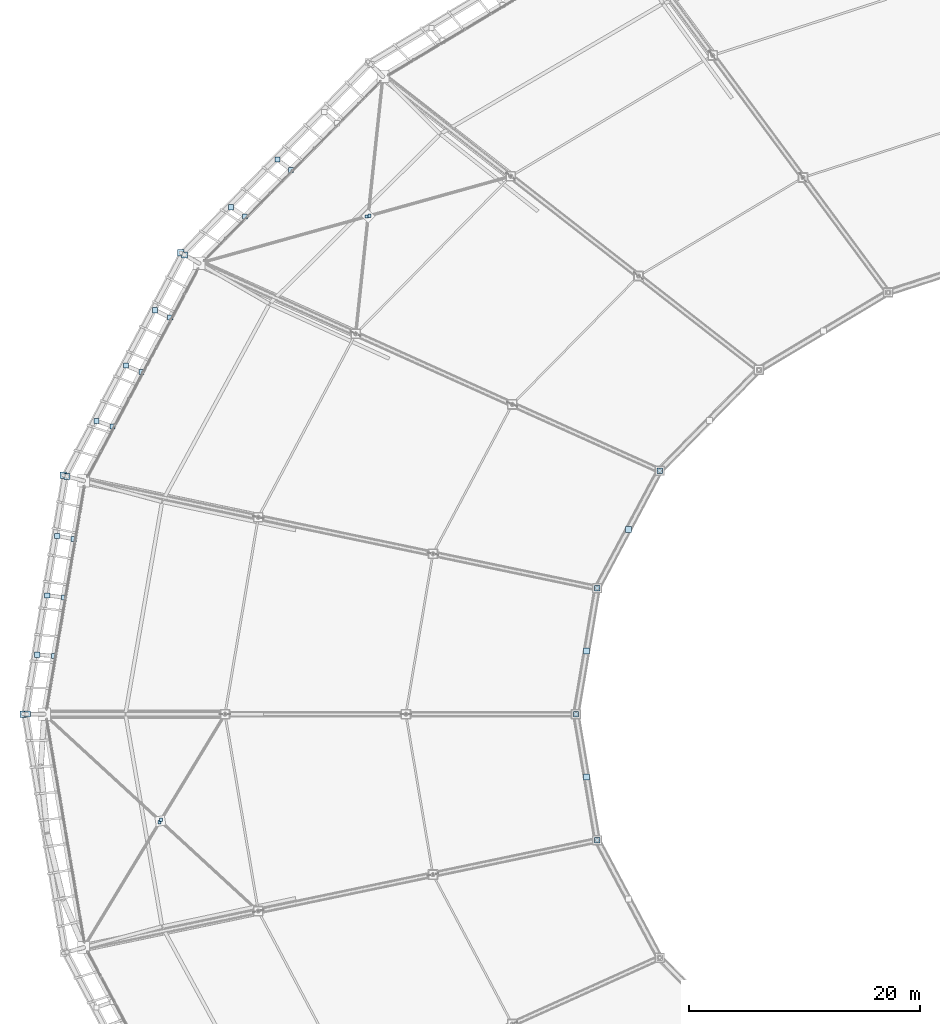
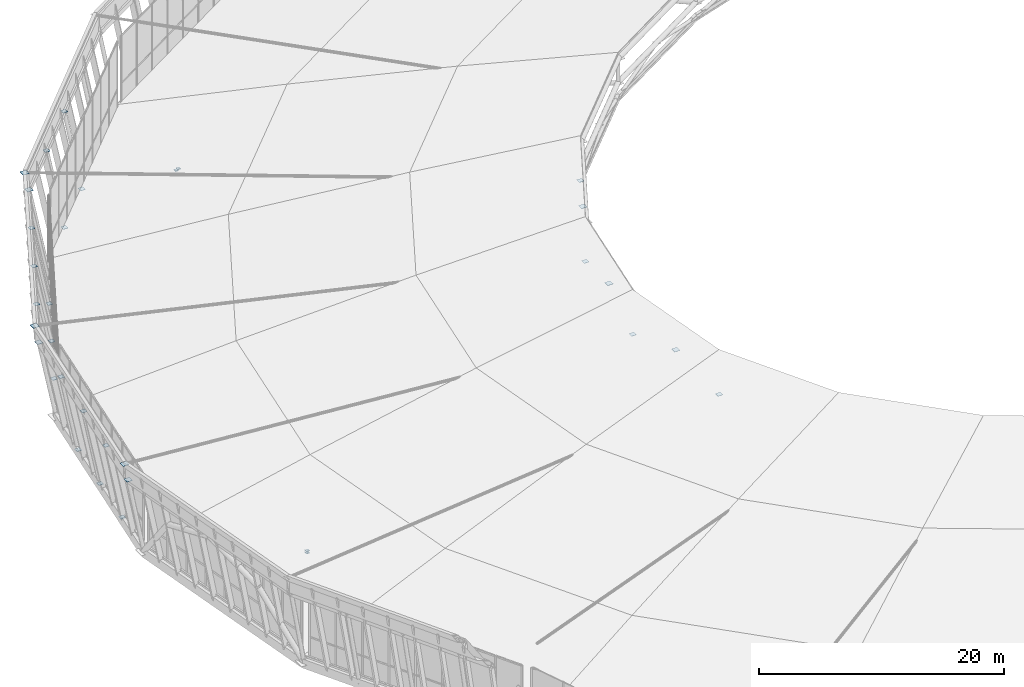
# One storey, part 103 of 115: 33 plates.
"""IFC4 building model written with IfcOpenShell, lengths in metres."""

import ifcopenshell
import ifcopenshell.guid

model = None  # the IFC model being written
_history = None  # IfcOwnerHistory: only IFC2X3 demands one
_inside = {}  # id of a spatial element -> (the spatial element, [elements in it])
_under = {}  # id of a project, library or spatial element -> (it, [spatial elements below it])
_declared = {}  # id of a project -> (the project, [libraries it declares])
_typed = {}  # id of a type object -> (the type object, [elements of that type])
_made_of = {}  # id of a material, layer set ... -> (it, [elements and type objects made of it])


def new_model(schema):
    """Start an empty IFC model of exactly this schema.

    Asked for "IFC4X3", IfcOpenShell would pick the latest addendum, in which some entities
    have other attributes; the version numbers below select the first issue.
    IFC2X3 requires an IfcOwnerHistory on every rooted entity: one is made here for all.
    """
    global model, _history
    if schema == "IFC4X3":
        model = ifcopenshell.file(schema_version=(4, 3, 0, 0))
    else:
        model = ifcopenshell.file(schema=schema)
    _inside.clear()
    _under.clear()
    _declared.clear()
    _typed.clear()
    _made_of.clear()
    _history = None
    if model.schema == "IFC2X3":
        org = make("IfcOrganization", Name="unknown")
        user = make(
            "IfcPersonAndOrganization",
            ThePerson=make("IfcPerson", FamilyName="unknown"),
            TheOrganization=org,
        )
        app = make(
            "IfcApplication",
            ApplicationDeveloper=org,
            Version="unknown",
            ApplicationFullName="unknown",
            ApplicationIdentifier="unknown",
        )
        _history = make(
            "IfcOwnerHistory",
            OwningUser=user,
            OwningApplication=app,
            ChangeAction="ADDED",
            CreationDate=0,
        )
    return model


def make(cls, **values):
    """One entity of the class cls with the attributes given. An attribute that is None is left unset."""
    return model.create_entity(
        cls, **{name: value for name, value in values.items() if value is not None}
    )


def rooted(cls, **values):
    """An entity with a GlobalId (a new one), such as an element, a storey or a relation."""
    return make(cls, GlobalId=ifcopenshell.guid.new(), OwnerHistory=_history, **values)


def si_unit(unit_type, name, prefix=None):
    """IfcSIUnit, for example si_unit("LENGTHUNIT", "METRE", prefix="MILLI")."""
    return make("IfcSIUnit", UnitType=unit_type, Prefix=prefix, Name=name)


def assignment(units):
    """IfcUnitAssignment: the units of a project."""
    return None if units is None else make("IfcUnitAssignment", Units=units)


def point(xyz):
    """IfcCartesianPoint."""
    return None if xyz is None else make("IfcCartesianPoint", Coordinates=xyz)


def direction(xyz):
    """IfcDirection."""
    return None if xyz is None else make("IfcDirection", DirectionRatios=xyz)


def frame(location, z_axis=None, x_axis=None):
    """IfcAxis2Placement3D, a coordinate frame: its origin and axes. An axis left out is left unset."""
    return make(
        "IfcAxis2Placement3D",
        Location=point(location),
        Axis=direction(z_axis),
        RefDirection=direction(x_axis),
    )


def frame_2d(location, x_axis=None):
    """IfcAxis2Placement2D, a coordinate frame in the plane: its origin and x axis."""
    return make(
        "IfcAxis2Placement2D", Location=point(location), RefDirection=direction(x_axis)
    )


def origin():
    """The frame at (0, 0, 0) with its axes left unset."""
    return frame((0.0, 0.0, 0.0))


def origin_2d():
    """The frame at (0, 0) in the plane with its x axis left unset."""
    return frame_2d((0.0, 0.0))


def place(relative_to, where):
    """IfcLocalPlacement: puts the frame where relative to a parent placement (None: the world)."""
    return make(
        "IfcLocalPlacement", PlacementRelTo=relative_to, RelativePlacement=where
    )


def context(
    kind, dimensions, precision=None, world=None, true_north=None, identifier=None
):
    """IfcGeometricRepresentationContext, for example the 3D "Model" context."""
    return make(
        "IfcGeometricRepresentationContext",
        ContextIdentifier=identifier,
        ContextType=kind,
        CoordinateSpaceDimension=dimensions,
        Precision=precision,
        WorldCoordinateSystem=world,
        TrueNorth=true_north,
    )


def subcontext(parent, identifier, kind, view, scale=None):
    """IfcGeometricRepresentationSubContext, for example "Body" below "Model"."""
    return make(
        "IfcGeometricRepresentationSubContext",
        ContextIdentifier=identifier,
        ContextType=kind,
        ParentContext=parent,
        TargetScale=scale,
        TargetView=view,
    )


def project(units=None, contexts=None):
    """IfcProject with its units and contexts."""
    return rooted(
        "IfcProject",
        Name="project",
        RepresentationContexts=contexts,
        UnitsInContext=assignment(units),
    )


def spatial(cls, under=None, at=None, **own):
    """A site, building, storey or space (cls), placed at a placement, below another one or the project."""
    s = rooted(cls, ObjectPlacement=at, **own)
    if under is not None:
        _under.setdefault(under.id(), (under, []))[1].append(s)
    return s


def profile(cls, at=None, kind="AREA", **sizes):
    """A parametric profile (cls). Its sizes go by their IFC names, for example OverallWidth=200.0."""
    return make(cls, ProfileType=kind, Position=at, **sizes)


def rectangle(**sizes):
    """IfcRectangleProfileDef."""
    return profile("IfcRectangleProfileDef", **sizes)


def extrude(swept, where, along, depth):
    """IfcExtrudedAreaSolid: the profile swept, set in the frame where, extruded along a direction by depth."""
    return make(
        "IfcExtrudedAreaSolid",
        SweptArea=swept,
        Position=where,
        ExtrudedDirection=direction(along),
        Depth=depth,
    )


def shape(context_of_items, identifier, shape_type, items):
    """IfcShapeRepresentation: the items that make up one representation, for example the "Body"."""
    return make(
        "IfcShapeRepresentation",
        ContextOfItems=context_of_items,
        RepresentationIdentifier=identifier,
        RepresentationType=shape_type,
        Items=items,
    )


def material(Name=None, Category=None):
    """IfcMaterial."""
    return make("IfcMaterial", Name=Name, Category=Category)


def layer(
    of_material, thickness, ventilated=None, Name=None, Category=None, Priority=None
):
    """IfcMaterialLayer: one layer of a wall or slab, of a material (None: an air gap)."""
    return make(
        "IfcMaterialLayer",
        Material=of_material,
        LayerThickness=thickness,
        IsVentilated=ventilated,
        Name=Name,
        Category=Category,
        Priority=Priority,
    )


def layer_set(layers, Name=None):
    """IfcMaterialLayerSet."""
    return make("IfcMaterialLayerSet", MaterialLayers=layers, LayerSetName=Name)


def made_of(thing, what):
    """Note that an element or type object is made of a material, layer set ...; save() writes the relation."""
    if what is not None:
        _made_of.setdefault(what.id(), (what, []))[1].append(thing)
    return thing


def type_object(cls, material=None, **own):
    """A type object (cls), such as IfcWallType, which elements share."""
    return made_of(rooted(cls, **own), material)


def element(
    cls,
    number,
    at=None,
    inside=None,
    cuts=None,
    type_object=None,
    material=None,
    context=None,
    identifier="Body",
    shape_type=None,
    held_by="IfcProductDefinitionShape",
    body=None,
    shapes=None,
    **own,
):
    """One element of the class cls, such as IfcWall. Its Tag is "e" and its number.

    at: its placement. inside: the storey or other place that contains it. cuts: it is an
    opening in that element (IfcRelVoidsElement). A single representation is given by context,
    identifier, shape_type and body (its items); several are given by shapes. held_by: the class
    of the entity that holds the representations. save() writes the other relations.
    """
    e = rooted(cls, Tag="e%d" % number, ObjectPlacement=at, **own)
    if body is not None:
        shapes = [shape(context, identifier, shape_type, body)]
    if shapes is not None:
        e.Representation = make(held_by, Representations=shapes)
    if inside is not None:
        _inside.setdefault(inside.id(), (inside, []))[1].append(e)
    if cuts is not None:
        rooted(
            "IfcRelVoidsElement", RelatingBuildingElement=cuts, RelatedOpeningElement=e
        )
    if type_object is not None:
        _typed.setdefault(type_object.id(), (type_object, []))[1].append(e)
    return made_of(e, material)


def aggregate(whole, parts):
    """IfcRelAggregates: a whole, such as a stair, and the parts it consists of."""
    return rooted("IfcRelAggregates", RelatingObject=whole, RelatedObjects=parts)


def save(model, path):
    """Write the relations noted so far, then the file.

    IfcRelAggregates (storeys below a building ...), IfcRelContainedInSpatialStructure (elements
    in a storey), IfcRelDefinesByType, IfcRelAssociatesMaterial and IfcRelDeclares: one each for
    every whole, place, type object, material and project.
    """
    for whole, parts in _under.values():
        aggregate(whole, parts)
    for where, things in _inside.values():
        rooted(
            "IfcRelContainedInSpatialStructure",
            RelatedElements=things,
            RelatingStructure=where,
        )
    for kind, things in _typed.values():
        rooted("IfcRelDefinesByType", RelatedObjects=things, RelatingType=kind)
    for what, things in _made_of.values():
        rooted("IfcRelAssociatesMaterial", RelatedObjects=things, RelatingMaterial=what)
    for by, libraries in _declared.values():
        rooted("IfcRelDeclares", RelatingContext=by, RelatedDefinitions=libraries)
    model.write(path)


model = new_model("IFC4")

# Units and contexts
model_context = context("Model", 3, precision=1e-05, world=origin(), true_north=direction((0.0, 1.0)))
body_context = subcontext(model_context, "Body", "Model", "MODEL_VIEW")
ifc_project = project(units=[si_unit("LENGTHUNIT", "METRE"), si_unit("AREAUNIT", "SQUARE_METRE"), si_unit("VOLUMEUNIT", "CUBIC_METRE"), si_unit("PLANEANGLEUNIT", "RADIAN"), si_unit("MASSUNIT", "GRAM", prefix="KILO")], contexts=[model_context])

# Site, building, storey
site_placement = place(None, origin())
site = spatial("IfcSite", under=ifc_project, at=site_placement, CompositionType="ELEMENT")
building_placement = place(site_placement, origin())
building = spatial("IfcBuilding", under=site, at=building_placement, Name="Zlatoyarsky Gate Stadium", CompositionType="ELEMENT")
storey_placement = place(building_placement, frame((0.0, 0.0, 31.800048828125)))
storey = spatial("IfcBuildingStorey", under=building, at=storey_placement, Name="RF", CompositionType="ELEMENT", Elevation=31.800048828125)

# Plates
ifc_material = material(Name="Steel S355", Category="steel")
ifc_layer = layer(ifc_material, 0.02392578125)
ifc_layer_set = layer_set([ifc_layer], Name="Steel S355")
plate_type = type_object("IfcPlateType", Name="STEEL HOLLOW CHORD SPLICE SHEET 24", PredefinedType="SHEET", material=ifc_layer_set)
for number, where, z_axis, x_axis, name in (
    (1, (32.32177734375, 127.09375, -0.4619140625), (0.0, 0.0, 1.0), (1.0, 0.0, 0.0), "Node closure plate ND-SP1 NCAP-RIB-09-2-4T"),
    (2, (31.167236328125, 127.979736328125, 7.137939453125), (0.0, 0.0, 1.0), (1.0, 0.0, 0.0), "Node closure plate ND-SP1 NCAP-RIB-09-2-5T"),
    (3, (28.34765625, 123.0537109375, -0.4619140625), (0.0, 0.0, 1.0), (1.0, 0.0, 0.0), "Node closure plate ND-SP1 NCAP-RIB-09-3-4T"),
    (4, (27.135009765625, 123.863525390625, 7.137939453125), (0.0, 0.0, 1.0), (1.0, 0.0, 0.0), "Node closure plate ND-SP1 NCAP-RIB-09-3-5T"),
):
    element("IfcPlate", number, at=place(storey_placement, frame(where, z_axis=z_axis, x_axis=x_axis)), inside=storey, type_object=plate_type, Name=name, PredefinedType="SHEET", context=body_context, shape_type="SweptSolid", body=[
        extrude(rectangle(XDim=0.43994140625, YDim=0.43994140625, at=origin_2d()), origin(), (0.0, 0.0, 1.0), 0.02392578125),
    ])
for number, where, z_axis, x_axis, name in (
    (5, (38.87255859375, 123.064208984375, 1.566650390625), (0.0, 0.0, 1.0), (1.0, 0.0, 0.0), "Node closure plate ND-SP1 NCAP-XBH1-09"),
    (6, (39.1201171875, 123.13330078125, 1.597900390625), (0.0, 0.0, 1.0), (1.0, 0.0, 0.0), "Node closure plate ND-SP1 NCAP-XBH2-09"),
):
    element("IfcPlate", number, at=place(storey_placement, frame(where, z_axis=z_axis, x_axis=x_axis)), inside=storey, type_object=plate_type, Name=name, PredefinedType="SHEET", context=body_context, shape_type="SweptSolid", body=[
        extrude(rectangle(XDim=0.280029296875, YDim=0.280029296875, at=origin_2d()), origin(), (0.0, 0.0, 1.0), 0.02392578125),
    ])
plate_1_placement = place(storey_placement, frame((22.80029296875, 119.922119140625, 8.837890625), z_axis=(0.0, 0.0, 1.0), x_axis=(1.0, 0.0, 0.0)))
element("IfcPlate", 7, at=plate_1_placement, inside=storey, type_object=plate_type, Name="Node closure plate ND-SP1 NCAP-FSC-10", PredefinedType="SHEET", context=body_context, shape_type="SweptSolid", body=[
    extrude(rectangle(XDim=0.56005859375, YDim=0.56005859375, at=origin_2d()), origin(), (0.0, 0.0, 1.0), 0.02392578125),
])
plate_2_placement = place(storey_placement, frame((23.1025390625, 119.74755859375, 7.137939453125), z_axis=(0.0, 0.0, 1.0), x_axis=(1.0, 0.0, 0.0)))
element("IfcPlate", 8, at=plate_2_placement, inside=storey, type_object=plate_type, Name="Node closure plate ND-SP1 NCAP-FSCB-10", PredefinedType="SHEET", context=body_context, shape_type="SweptSolid", body=[
    extrude(rectangle(XDim=0.52001953125, YDim=0.52001953125, at=origin_2d()), origin(), (0.0, 0.0, 1.0), 0.02392578125),
])
for number, where, z_axis, x_axis, name in (
    (9, (21.87548828125, 114.30908203125, -0.4619140625), (0.0, 0.0, 1.0), (1.0, 0.0, 0.0), "Node closure plate ND-SP1 NCAP-RIB-10-1-4T"),
    (10, (20.567626953125, 114.954345703125, 7.137939453125), (0.0, 0.0, 1.0), (1.0, 0.0, 0.0), "Node closure plate ND-SP1 NCAP-RIB-10-1-5T"),
    (11, (19.377197265625, 109.6044921875, -0.4619140625), (0.0, 0.0, 1.0), (1.0, 0.0, 0.0), "Node closure plate ND-SP1 NCAP-RIB-10-2-4T"),
    (12, (18.03271484375, 110.1611328125, 7.137939453125), (0.0, 0.0, 1.0), (1.0, 0.0, 0.0), "Node closure plate ND-SP1 NCAP-RIB-10-2-5T"),
    (13, (16.87890625, 104.899658203125, -0.4619140625), (0.0, 0.0, 1.0), (1.0, 0.0, 0.0), "Node closure plate ND-SP1 NCAP-RIB-10-3-4T"),
    (14, (15.497802734375, 105.3681640625, 7.137939453125), (0.0, 0.0, 1.0), (1.0, 0.0, 0.0), "Node closure plate ND-SP1 NCAP-RIB-10-3-5T"),
):
    element("IfcPlate", number, at=place(storey_placement, frame(where, z_axis=z_axis, x_axis=x_axis)), inside=storey, type_object=plate_type, Name=name, PredefinedType="SHEET", context=body_context, shape_type="SweptSolid", body=[
        extrude(rectangle(XDim=0.43994140625, YDim=0.43994140625, at=origin_2d()), origin(), (0.0, 0.0, 1.0), 0.02392578125),
    ])
plate_3_placement = place(storey_placement, frame((61.523681640625, 95.986328125, 6.43798828125), z_axis=(0.0, 0.0, 1.0), x_axis=(1.0, 0.0, 0.0)))
element("IfcPlate", 15, at=plate_3_placement, inside=storey, type_object=plate_type, Name="Node closure plate ND-SP1 NCAP-CATM-10", PredefinedType="SHEET", context=body_context, shape_type="SweptSolid", body=[
    extrude(rectangle(XDim=0.52001953125, YDim=0.52001953125, at=origin_2d()), origin(), (0.0, 0.0, 1.0), 0.02392578125),
])
plate_4_placement = place(storey_placement, frame((64.2216796875, 101.0673828125, 4.988037109375), z_axis=(0.0, 0.0, 1.0), x_axis=(1.0, 0.0, 0.0)))
element("IfcPlate", 16, at=plate_4_placement, inside=storey, type_object=plate_type, Name="Node closure plate ND-SP1 NCAP-CAT-10", PredefinedType="SHEET", context=body_context, shape_type="SweptSolid", body=[
    extrude(rectangle(XDim=0.449951171875, YDim=0.449951171875, at=origin_2d()), origin(), (0.0, 0.0, 1.0), 0.02392578125),
])
plate_5_placement = place(storey_placement, frame((12.626220703125, 100.665283203125, 8.837890625), z_axis=(0.0, 0.0, 1.0), x_axis=(1.0, 0.0, 0.0)))
element("IfcPlate", 17, at=plate_5_placement, inside=storey, type_object=plate_type, Name="Node closure plate ND-SP1 NCAP-FSC-11", PredefinedType="SHEET", context=body_context, shape_type="SweptSolid", body=[
    extrude(rectangle(XDim=0.56005859375, YDim=0.56005859375, at=origin_2d()), origin(), (0.0, 0.0, 1.0), 0.02392578125),
])
plate_6_placement = place(storey_placement, frame((12.963134765625, 100.574951171875, 7.137939453125), z_axis=(0.0, 0.0, 1.0), x_axis=(1.0, 0.0, 0.0)))
element("IfcPlate", 18, at=plate_6_placement, inside=storey, type_object=plate_type, Name="Node closure plate ND-SP1 NCAP-FSCB-11", PredefinedType="SHEET", context=body_context, shape_type="SweptSolid", body=[
    extrude(rectangle(XDim=0.52001953125, YDim=0.52001953125, at=origin_2d()), origin(), (0.0, 0.0, 1.0), 0.02392578125),
])
for number, where, z_axis, x_axis, name in (
    (19, (13.52880859375, 95.146240234375, -0.4619140625), (0.0, 0.0, 1.0), (1.0, 0.0, 0.0), "Node closure plate ND-SP1 NCAP-RIB-11-1-4T"),
    (20, (12.098388671875, 95.43115234375, 7.137939453125), (0.0, 0.0, 1.0), (1.0, 0.0, 0.0), "Node closure plate ND-SP1 NCAP-RIB-11-1-5T"),
    (21, (12.676513671875, 90.097412109375, -0.4619140625), (0.0, 0.0, 1.0), (1.0, 0.0, 0.0), "Node closure plate ND-SP1 NCAP-RIB-11-2-4T"),
    (22, (11.23388671875, 90.28759765625, 7.137939453125), (0.0, 0.0, 1.0), (1.0, 0.0, 0.0), "Node closure plate ND-SP1 NCAP-RIB-11-2-5T"),
    (23, (11.824462890625, 85.048828125, -0.4619140625), (0.0, 0.0, 1.0), (1.0, 0.0, 0.0), "Node closure plate ND-SP1 NCAP-RIB-11-3-4T"),
    (24, (10.369384765625, 85.143798828125, 7.137939453125), (0.0, 0.0, 1.0), (1.0, 0.0, 0.0), "Node closure plate ND-SP1 NCAP-RIB-11-3-5T"),
):
    element("IfcPlate", number, at=place(storey_placement, frame(where, z_axis=z_axis, x_axis=x_axis)), inside=storey, type_object=plate_type, Name=name, PredefinedType="SHEET", context=body_context, shape_type="SweptSolid", body=[
        extrude(rectangle(XDim=0.43994140625, YDim=0.43994140625, at=origin_2d()), origin(), (0.0, 0.0, 1.0), 0.02392578125),
    ])
plate_7_placement = place(storey_placement, frame((57.905517578125, 85.45263671875, 6.43798828125), z_axis=(0.0, 0.0, 1.0), x_axis=(1.0, 0.0, 0.0)))
element("IfcPlate", 25, at=plate_7_placement, inside=storey, type_object=plate_type, Name="Node closure plate ND-SP1 NCAP-CATM-11", PredefinedType="SHEET", context=body_context, shape_type="SweptSolid", body=[
    extrude(rectangle(XDim=0.52001953125, YDim=0.52001953125, at=origin_2d()), origin(), (0.0, 0.0, 1.0), 0.02392578125),
])
plate_8_placement = place(storey_placement, frame((58.82568359375, 90.9052734375, 4.988037109375), z_axis=(0.0, 0.0, 1.0), x_axis=(1.0, 0.0, 0.0)))
element("IfcPlate", 26, at=plate_8_placement, inside=storey, type_object=plate_type, Name="Node closure plate ND-SP1 NCAP-CAT-11", PredefinedType="SHEET", context=body_context, shape_type="SweptSolid", body=[
    extrude(rectangle(XDim=0.449951171875, YDim=0.449951171875, at=origin_2d()), origin(), (0.0, 0.0, 1.0), 0.02392578125),
])
plate_9_placement = place(storey_placement, frame((9.15576171875, 80.0, 8.837890625), z_axis=(0.0, 0.0, 1.0), x_axis=(1.0, 0.0, 0.0)))
element("IfcPlate", 27, at=plate_9_placement, inside=storey, type_object=plate_type, Name="Node closure plate ND-SP1 NCAP-FSC-12", PredefinedType="SHEET", context=body_context, shape_type="SweptSolid", body=[
    extrude(rectangle(XDim=0.56005859375, YDim=0.56005859375, at=origin_2d()), origin(), (0.0, 0.0, 1.0), 0.02392578125),
])
for number, where, z_axis, x_axis, name in (
    (28, (9.504638671875, 80.0, 7.137939453125), (0.0, 0.0, 1.0), (1.0, 0.0, 0.0), "Node closure plate ND-SP1 NCAP-FSCB-12"),
    (29, (57.905517578125, 74.54736328125, 6.43798828125), (0.0, 0.0, 1.0), (1.0, 0.0, 0.0), "Node closure plate ND-SP1 NCAP-CATM-12"),
):
    element("IfcPlate", number, at=place(storey_placement, frame(where, z_axis=z_axis, x_axis=x_axis)), inside=storey, type_object=plate_type, Name=name, PredefinedType="SHEET", context=body_context, shape_type="SweptSolid", body=[
        extrude(rectangle(XDim=0.52001953125, YDim=0.52001953125, at=origin_2d()), origin(), (0.0, 0.0, 1.0), 0.02392578125),
    ])
plate_10_placement = place(storey_placement, frame((56.985107421875, 80.0, 4.988037109375), z_axis=(0.0, 0.0, 1.0), x_axis=(1.0, 0.0, 0.0)))
element("IfcPlate", 30, at=plate_10_placement, inside=storey, type_object=plate_type, Name="Node closure plate ND-SP1 NCAP-CAT-12", PredefinedType="SHEET", context=body_context, shape_type="SweptSolid", body=[
    extrude(rectangle(XDim=0.449951171875, YDim=0.449951171875, at=origin_2d()), origin(), (0.0, 0.0, 1.0), 0.02392578125),
])
for number, where, z_axis, x_axis, name in (
    (31, (20.95458984375, 70.654541015625, 1.564697265625), (0.0, 0.0, 1.0), (1.0, 0.0, 0.0), "Node closure plate ND-SP1 NCAP-XBH1-12"),
    (32, (21.0810546875, 70.863525390625, 1.599853515625), (0.0, 0.0, 1.0), (1.0, 0.0, 0.0), "Node closure plate ND-SP1 NCAP-XBH2-12"),
):
    element("IfcPlate", number, at=place(storey_placement, frame(where, z_axis=z_axis, x_axis=x_axis)), inside=storey, type_object=plate_type, Name=name, PredefinedType="SHEET", context=body_context, shape_type="SweptSolid", body=[
        extrude(rectangle(XDim=0.280029296875, YDim=0.280029296875, at=origin_2d()), origin(), (0.0, 0.0, 1.0), 0.02392578125),
    ])
plate_11_placement = place(storey_placement, frame((58.82568359375, 69.0947265625, 4.988037109375), z_axis=(0.0, 0.0, 1.0), x_axis=(1.0, 0.0, 0.0)))
element("IfcPlate", 33, at=plate_11_placement, inside=storey, type_object=plate_type, Name="Node closure plate ND-SP1 NCAP-CAT-13", PredefinedType="SHEET", context=body_context, shape_type="SweptSolid", body=[
    extrude(rectangle(XDim=0.449951171875, YDim=0.449951171875, at=origin_2d()), origin(), (0.0, 0.0, 1.0), 0.02392578125),
])

save(model, "model.ifc")
